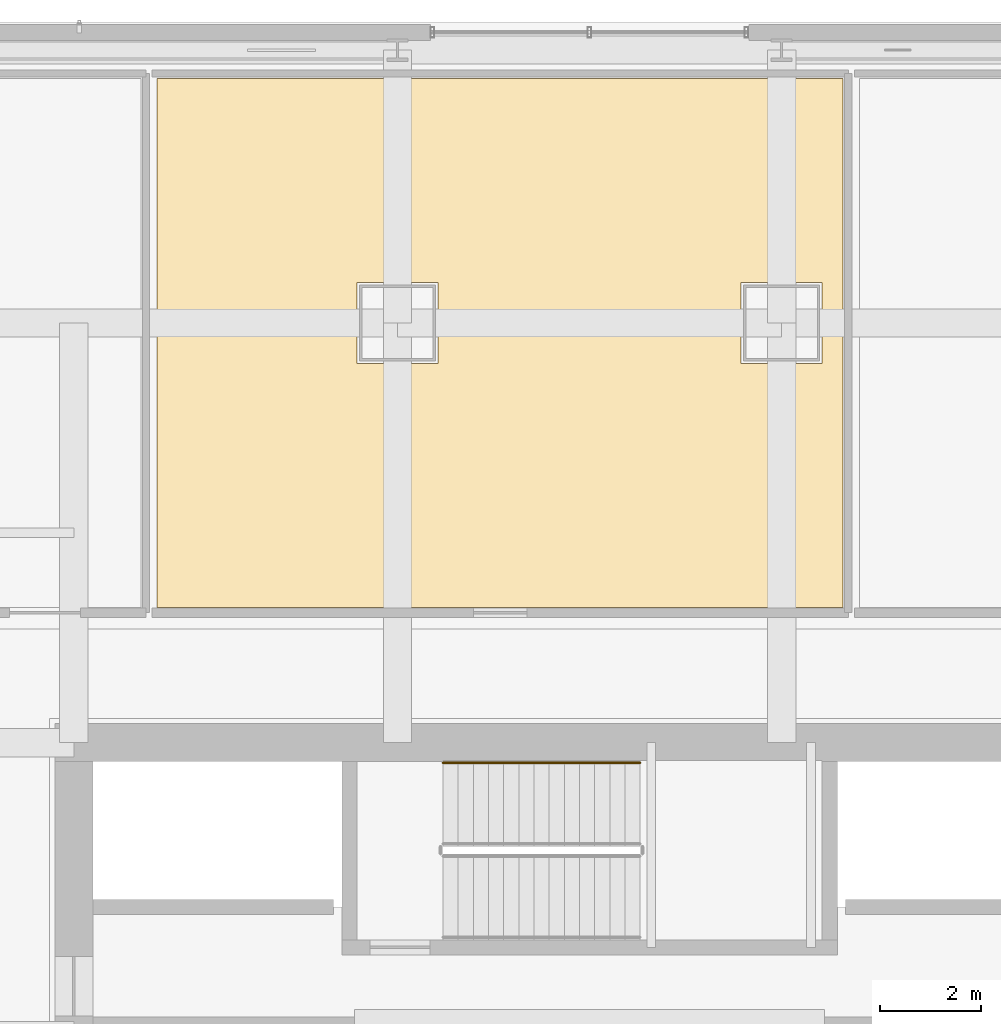
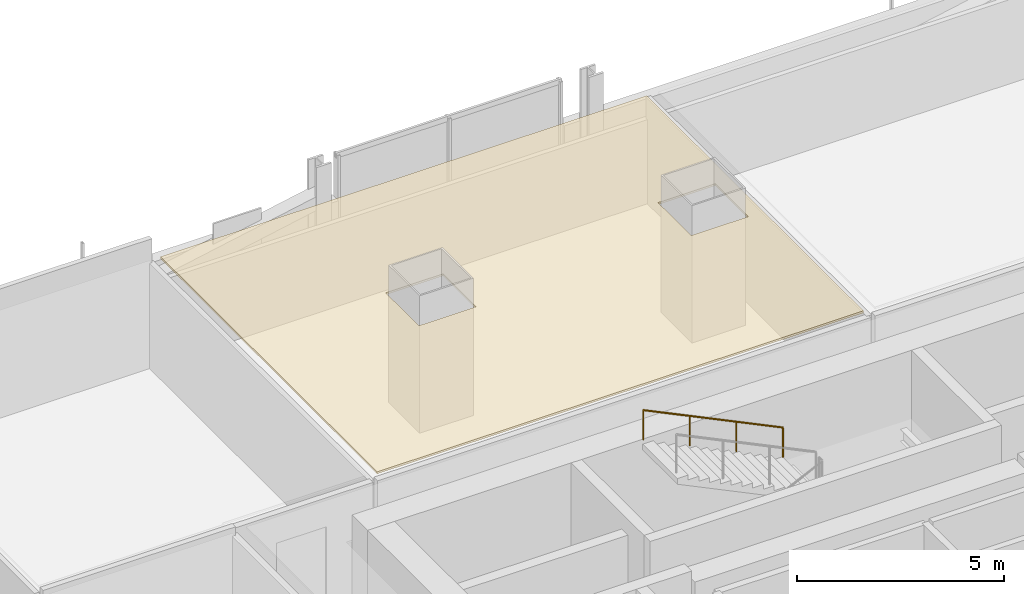
# One storey, part 25 of 28: 1 covering, 1 railing.
"""IFC4 building model written with IfcOpenShell, lengths in metres."""

import ifcopenshell
import ifcopenshell.guid

model = None  # the IFC model being written
_history = None  # IfcOwnerHistory: only IFC2X3 demands one
_inside = {}  # id of a spatial element -> (the spatial element, [elements in it])
_under = {}  # id of a project, library or spatial element -> (it, [spatial elements below it])
_declared = {}  # id of a project -> (the project, [libraries it declares])
_typed = {}  # id of a type object -> (the type object, [elements of that type])
_made_of = {}  # id of a material, layer set ... -> (it, [elements and type objects made of it])


def new_model(schema):
    """Start an empty IFC model of exactly this schema.

    Asked for "IFC4X3", IfcOpenShell would pick the latest addendum, in which some entities
    have other attributes; the version numbers below select the first issue.
    IFC2X3 requires an IfcOwnerHistory on every rooted entity: one is made here for all.
    """
    global model, _history
    if schema == "IFC4X3":
        model = ifcopenshell.file(schema_version=(4, 3, 0, 0))
    else:
        model = ifcopenshell.file(schema=schema)
    _inside.clear()
    _under.clear()
    _declared.clear()
    _typed.clear()
    _made_of.clear()
    _history = None
    if model.schema == "IFC2X3":
        org = make("IfcOrganization", Name="unknown")
        user = make(
            "IfcPersonAndOrganization",
            ThePerson=make("IfcPerson", FamilyName="unknown"),
            TheOrganization=org,
        )
        app = make(
            "IfcApplication",
            ApplicationDeveloper=org,
            Version="unknown",
            ApplicationFullName="unknown",
            ApplicationIdentifier="unknown",
        )
        _history = make(
            "IfcOwnerHistory",
            OwningUser=user,
            OwningApplication=app,
            ChangeAction="ADDED",
            CreationDate=0,
        )
    return model


def make(cls, **values):
    """One entity of the class cls with the attributes given. An attribute that is None is left unset."""
    return model.create_entity(
        cls, **{name: value for name, value in values.items() if value is not None}
    )


def rooted(cls, **values):
    """An entity with a GlobalId (a new one), such as an element, a storey or a relation."""
    return make(cls, GlobalId=ifcopenshell.guid.new(), OwnerHistory=_history, **values)


def si_unit(unit_type, name, prefix=None):
    """IfcSIUnit, for example si_unit("LENGTHUNIT", "METRE", prefix="MILLI")."""
    return make("IfcSIUnit", UnitType=unit_type, Prefix=prefix, Name=name)


def assignment(units):
    """IfcUnitAssignment: the units of a project."""
    return None if units is None else make("IfcUnitAssignment", Units=units)


def point(xyz):
    """IfcCartesianPoint."""
    return None if xyz is None else make("IfcCartesianPoint", Coordinates=xyz)


def direction(xyz):
    """IfcDirection."""
    return None if xyz is None else make("IfcDirection", DirectionRatios=xyz)


def frame(location, z_axis=None, x_axis=None):
    """IfcAxis2Placement3D, a coordinate frame: its origin and axes. An axis left out is left unset."""
    return make(
        "IfcAxis2Placement3D",
        Location=point(location),
        Axis=direction(z_axis),
        RefDirection=direction(x_axis),
    )


def frame_2d(location, x_axis=None):
    """IfcAxis2Placement2D, a coordinate frame in the plane: its origin and x axis."""
    return make(
        "IfcAxis2Placement2D", Location=point(location), RefDirection=direction(x_axis)
    )


def origin():
    """The frame at (0, 0, 0) with its axes left unset."""
    return frame((0.0, 0.0, 0.0))


def origin_2d():
    """The frame at (0, 0) in the plane with its x axis left unset."""
    return frame_2d((0.0, 0.0))


def place(relative_to, where):
    """IfcLocalPlacement: puts the frame where relative to a parent placement (None: the world)."""
    return make(
        "IfcLocalPlacement", PlacementRelTo=relative_to, RelativePlacement=where
    )


def context(
    kind, dimensions, precision=None, world=None, true_north=None, identifier=None
):
    """IfcGeometricRepresentationContext, for example the 3D "Model" context."""
    return make(
        "IfcGeometricRepresentationContext",
        ContextIdentifier=identifier,
        ContextType=kind,
        CoordinateSpaceDimension=dimensions,
        Precision=precision,
        WorldCoordinateSystem=world,
        TrueNorth=true_north,
    )


def subcontext(parent, identifier, kind, view, scale=None):
    """IfcGeometricRepresentationSubContext, for example "Body" below "Model"."""
    return make(
        "IfcGeometricRepresentationSubContext",
        ContextIdentifier=identifier,
        ContextType=kind,
        ParentContext=parent,
        TargetScale=scale,
        TargetView=view,
    )


def project(units=None, contexts=None):
    """IfcProject with its units and contexts."""
    return rooted(
        "IfcProject",
        Name="project",
        RepresentationContexts=contexts,
        UnitsInContext=assignment(units),
    )


def spatial(cls, under=None, at=None, **own):
    """A site, building, storey or space (cls), placed at a placement, below another one or the project."""
    s = rooted(cls, ObjectPlacement=at, **own)
    if under is not None:
        _under.setdefault(under.id(), (under, []))[1].append(s)
    return s


def polyline(points):
    """IfcPolyline through the points."""
    return make("IfcPolyline", Points=[point(p) for p in points])


def profile(cls, at=None, kind="AREA", **sizes):
    """A parametric profile (cls). Its sizes go by their IFC names, for example OverallWidth=200.0."""
    return make(cls, ProfileType=kind, Position=at, **sizes)


def circle(**sizes):
    """IfcCircleProfileDef."""
    return profile("IfcCircleProfileDef", **sizes)


def outline(outer, holes=None, kind="AREA"):
    """IfcArbitraryClosedProfileDef: a profile drawn as a closed curve; with holes, ...WithVoids."""
    if holes is None:
        return make("IfcArbitraryClosedProfileDef", ProfileType=kind, OuterCurve=outer)
    return make(
        "IfcArbitraryProfileDefWithVoids",
        ProfileType=kind,
        OuterCurve=outer,
        InnerCurves=holes,
    )


def extrude(swept, where, along, depth):
    """IfcExtrudedAreaSolid: the profile swept, set in the frame where, extruded along a direction by depth."""
    return make(
        "IfcExtrudedAreaSolid",
        SweptArea=swept,
        Position=where,
        ExtrudedDirection=direction(along),
        Depth=depth,
    )


def shape(context_of_items, identifier, shape_type, items):
    """IfcShapeRepresentation: the items that make up one representation, for example the "Body"."""
    return make(
        "IfcShapeRepresentation",
        ContextOfItems=context_of_items,
        RepresentationIdentifier=identifier,
        RepresentationType=shape_type,
        Items=items,
    )


def material(Name=None, Category=None):
    """IfcMaterial."""
    return make("IfcMaterial", Name=Name, Category=Category)


def layer(
    of_material, thickness, ventilated=None, Name=None, Category=None, Priority=None
):
    """IfcMaterialLayer: one layer of a wall or slab, of a material (None: an air gap)."""
    return make(
        "IfcMaterialLayer",
        Material=of_material,
        LayerThickness=thickness,
        IsVentilated=ventilated,
        Name=Name,
        Category=Category,
        Priority=Priority,
    )


def layer_set(layers, Name=None):
    """IfcMaterialLayerSet."""
    return make("IfcMaterialLayerSet", MaterialLayers=layers, LayerSetName=Name)


def made_of(thing, what):
    """Note that an element or type object is made of a material, layer set ...; save() writes the relation."""
    if what is not None:
        _made_of.setdefault(what.id(), (what, []))[1].append(thing)
    return thing


def type_object(cls, material=None, **own):
    """A type object (cls), such as IfcWallType, which elements share."""
    return made_of(rooted(cls, **own), material)


def element(
    cls,
    number,
    at=None,
    inside=None,
    cuts=None,
    type_object=None,
    material=None,
    context=None,
    identifier="Body",
    shape_type=None,
    held_by="IfcProductDefinitionShape",
    body=None,
    shapes=None,
    **own,
):
    """One element of the class cls, such as IfcWall. Its Tag is "e" and its number.

    at: its placement. inside: the storey or other place that contains it. cuts: it is an
    opening in that element (IfcRelVoidsElement). A single representation is given by context,
    identifier, shape_type and body (its items); several are given by shapes. held_by: the class
    of the entity that holds the representations. save() writes the other relations.
    """
    e = rooted(cls, Tag="e%d" % number, ObjectPlacement=at, **own)
    if body is not None:
        shapes = [shape(context, identifier, shape_type, body)]
    if shapes is not None:
        e.Representation = make(held_by, Representations=shapes)
    if inside is not None:
        _inside.setdefault(inside.id(), (inside, []))[1].append(e)
    if cuts is not None:
        rooted(
            "IfcRelVoidsElement", RelatingBuildingElement=cuts, RelatedOpeningElement=e
        )
    if type_object is not None:
        _typed.setdefault(type_object.id(), (type_object, []))[1].append(e)
    return made_of(e, material)


def aggregate(whole, parts):
    """IfcRelAggregates: a whole, such as a stair, and the parts it consists of."""
    return rooted("IfcRelAggregates", RelatingObject=whole, RelatedObjects=parts)


def save(model, path):
    """Write the relations noted so far, then the file.

    IfcRelAggregates (storeys below a building ...), IfcRelContainedInSpatialStructure (elements
    in a storey), IfcRelDefinesByType, IfcRelAssociatesMaterial and IfcRelDeclares: one each for
    every whole, place, type object, material and project.
    """
    for whole, parts in _under.values():
        aggregate(whole, parts)
    for where, things in _inside.values():
        rooted(
            "IfcRelContainedInSpatialStructure",
            RelatedElements=things,
            RelatingStructure=where,
        )
    for kind, things in _typed.values():
        rooted("IfcRelDefinesByType", RelatedObjects=things, RelatingType=kind)
    for what, things in _made_of.values():
        rooted("IfcRelAssociatesMaterial", RelatedObjects=things, RelatingMaterial=what)
    for by, libraries in _declared.values():
        rooted("IfcRelDeclares", RelatingContext=by, RelatedDefinitions=libraries)
    model.write(path)


model = new_model("IFC4")

# Units and contexts
model_context = context("Model", 3, precision=1e-05, world=origin(), true_north=direction((0.0, 1.0)))
body_context = subcontext(model_context, "Body", "Model", "MODEL_VIEW")
ifc_project = project(units=[si_unit("LENGTHUNIT", "METRE"), si_unit("AREAUNIT", "SQUARE_METRE"), si_unit("VOLUMEUNIT", "CUBIC_METRE"), si_unit("PLANEANGLEUNIT", "RADIAN"), si_unit("MASSUNIT", "GRAM", prefix="KILO")], contexts=[model_context])

# Site, building, storey
site_placement = place(None, origin())
site = spatial("IfcSite", under=ifc_project, at=site_placement, CompositionType="ELEMENT")
building_placement = place(site_placement, origin())
building = spatial("IfcBuilding", under=site, at=building_placement, Name="Punatoya Terracotta Tower", CompositionType="ELEMENT")
storey_placement = place(building_placement, frame((0.0, 0.0, 93.0)))
storey = spatial("IfcBuildingStorey", under=building, at=storey_placement, Name="L21", CompositionType="ELEMENT", Elevation=93.0)

# Covering
ifc_material_1 = material(Name="Acoustic Mineral Fibre Ceiling")
ifc_layer = layer(ifc_material_1, 0.06005859375)
ifc_layer_set = layer_set([ifc_layer], Name="Acoustic Mineral Fibre Ceiling")
covering_type = type_object("IfcCoveringType", Name="COV-CEIL-60", PredefinedType="CEILING", material=ifc_layer_set)
covering_placement = place(storey_placement, frame((0.0, 0.0, 3.159912109375)))
element("IfcCovering", 1, at=covering_placement, inside=storey, type_object=covering_type, Name="L21 Open-Plan Client Briefing Office Acoustic Ceiling", PredefinedType="CEILING", context=body_context, shape_type="SweptSolid", body=[
    extrude(outline(polyline([(-8.552001953125, 11.8701171875), (5.01806640625, 11.8701171875), (5.01806640625, 22.340087890625), (-8.552001953125, 22.340087890625), (-8.552001953125, 11.8701171875)]), holes=[polyline([(4.60009765625, 16.699951171875), (3.0, 16.699951171875), (3.0, 18.300048828125), (4.60009765625, 18.300048828125), (4.60009765625, 16.699951171875)]), polyline([(-4.60009765625, 16.699951171875), (-4.60009765625, 18.300048828125), (-3.0, 18.300048828125), (-3.0, 16.699951171875), (-4.60009765625, 16.699951171875)])]), origin(), (0.0, 0.0, 1.0), 0.06005859375),
])

# Railing
ifc_material_2 = material(Name="Steel S355", Category="steel")
railing_type = type_object("IfcRailingType", Name="RLG-HND-900", PredefinedType="HANDRAIL", material=ifc_material_2)
railing_placement = place(storey_placement, frame((1.0, 8.800048828125, 2.169677734375)))
element("IfcRailing", 2, at=railing_placement, inside=storey, type_object=railing_type, Name="L21 ST-3 stair handrail 2", PredefinedType="HANDRAIL", context=body_context, shape_type="SweptSolid", body=[
    extrude(circle(Radius=0.02392578125, at=origin_2d()), frame((0.0, 0.0, 0.8759765625), z_axis=(-0.900763166376, 0.0, 0.434310623978), x_axis=(0.0, -1.0, 0.0)), (0.0, 0.0, 1.0), 4.32958984375),
    extrude(circle(Radius=0.02099609375, at=origin_2d()), origin(), (0.0, 0.0, 1.0), 0.851806640625),
    extrude(circle(Radius=0.02099609375, at=origin_2d()), frame((-1.300048828125, 0.0, 0.626708984375)), (0.0, 0.0, 1.0), 0.851806640625),
    extrude(circle(Radius=0.02099609375, at=origin_2d()), frame((-2.599853515625, 0.0, 1.253662109375)), (0.0, 0.0, 1.0), 0.851806640625),
    extrude(circle(Radius=0.02099609375, at=origin_2d()), frame((-3.89990234375, 0.0, 1.88037109375)), (0.0, 0.0, 1.0), 0.851806640625),
])

save(model, "model.ifc")
